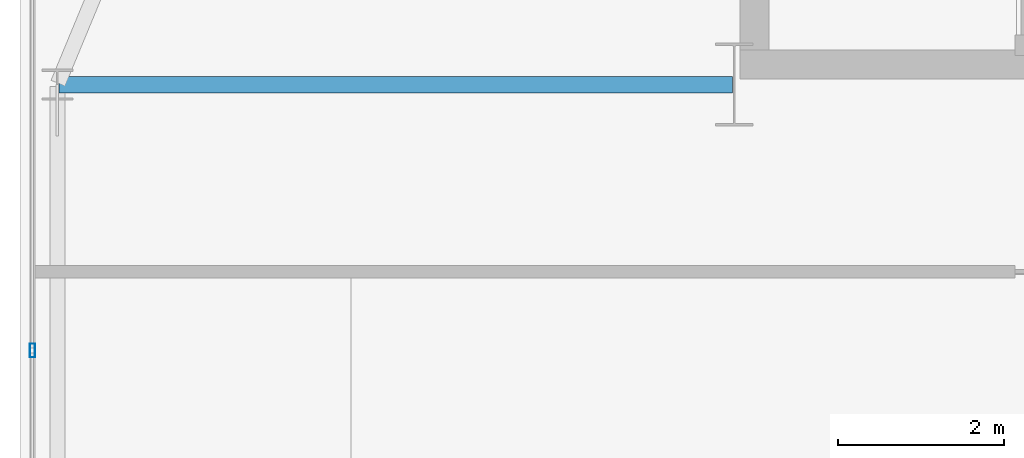
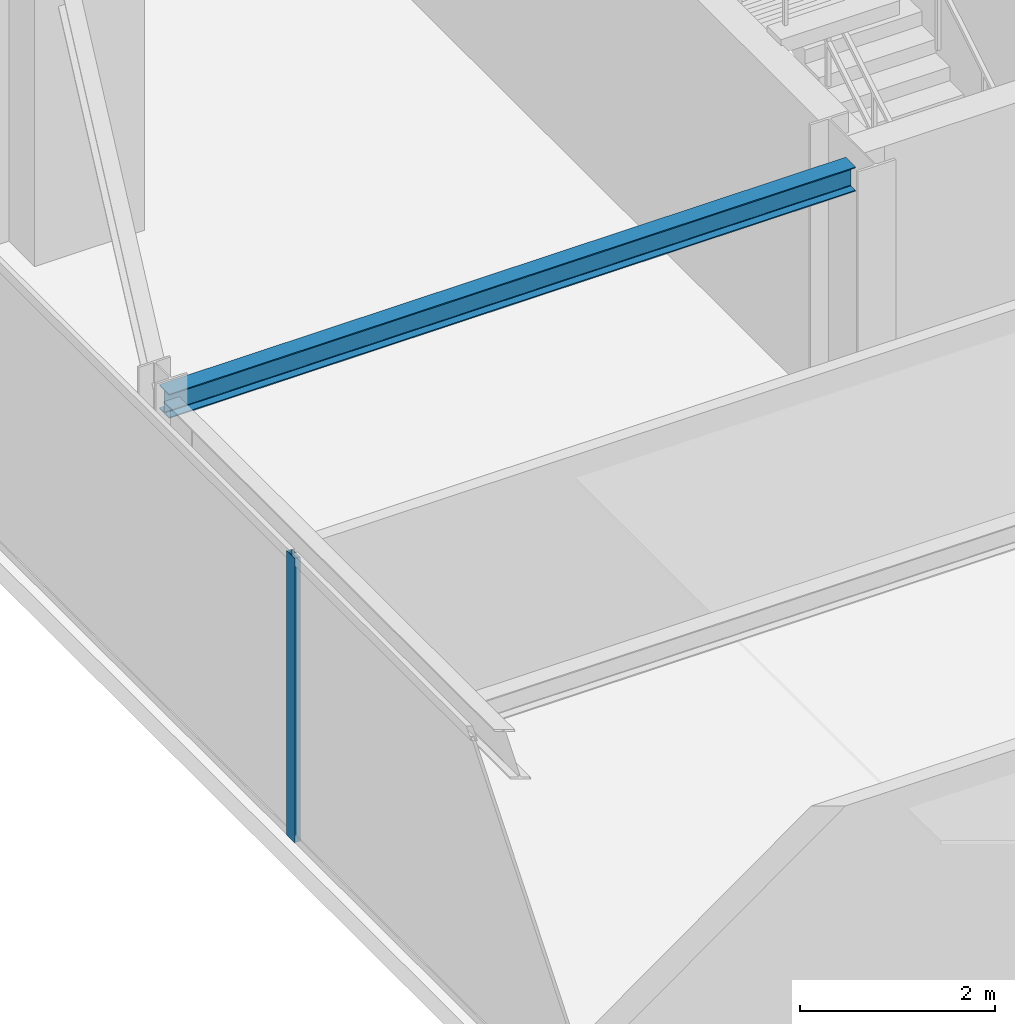
# One storey, part 12 of 31: 1 beam, 1 member, 1 element without a shape of its own.
"""IFC4 building model written with IfcOpenShell, lengths in metres."""

from ifc_helpers import new_model, si_unit, direction, frame, origin, origin_2d, place, context, subcontext, project, spatial, hollow_rectangle, i_section, extrude, source, transform, mapped, material, layer, layer_set, material_profile, profile_set, type_object, type_shapes, element, aggregate, save


model = new_model("IFC4")

# Units and contexts
model_context = context("Model", 3, precision=1e-05, world=origin(), true_north=direction((0.0, 1.0)))
body_context = subcontext(model_context, "Body", "Model", "MODEL_VIEW")
ifc_project = project(units=[si_unit("LENGTHUNIT", "METRE"), si_unit("AREAUNIT", "SQUARE_METRE"), si_unit("VOLUMEUNIT", "CUBIC_METRE"), si_unit("PLANEANGLEUNIT", "RADIAN"), si_unit("MASSUNIT", "GRAM", prefix="KILO")], contexts=[model_context])

# Site, building, storey
site_placement = place(None, origin())
site = spatial("IfcSite", under=ifc_project, at=site_placement, CompositionType="ELEMENT")
building_placement = place(site_placement, origin())
building = spatial("IfcBuilding", under=site, at=building_placement, Name="Varnel Quay Broadcast Tower", CompositionType="ELEMENT")
storey_placement = place(building_placement, frame((0.0, 0.0, 157.199951171875)))
storey = spatial("IfcBuildingStorey", under=building, at=storey_placement, Name="L38", CompositionType="ELEMENT", Elevation=157.199951171875)

# Beam
ifc_material_1 = material(Name="Structural Steel CSA G40.21 350W", Category="steel")
ifc_material_profile_1 = material_profile(ifc_material_1, i_section(OverallWidth=0.202880859375, OverallDepth=0.302978515625, WebThickness=0.007568359375, FlangeThickness=0.01318359375, FilletRadius=0.011962890625, at=origin_2d()), Name="W310X60")
ifc_profile_set_1 = profile_set([ifc_material_profile_1], Name="Structural Steel CSA G40.21 350W")
beam_type = type_object("IfcBeamType", Name="Beam_W310X60", PredefinedType="JOIST", material=ifc_profile_set_1)
shared_shape_1 = source(origin(), body_context, "Body", "SweptSolid", [
    extrude(i_section(OverallWidth=0.202880859375, OverallDepth=0.302978515625, WebThickness=0.007568359375, FlangeThickness=0.01318359375, FilletRadius=0.011962890625, at=origin_2d()), origin(), (0.0, 0.0, 1.0), 8.110107421875),
])
type_shapes(beam_type, [shared_shape_1])
beam_placement = place(storey_placement, frame((7.469970703125, 35.60009765625, 3.3984375), z_axis=(1.0, 0.0, 0.0), x_axis=(0.0, 1.0, 0.0)))
element("IfcBeam", 1, at=beam_placement, inside=storey, type_object=beam_type, Name="L38 West Core Tie Joist", PredefinedType="JOIST", context=body_context, shape_type="MappedRepresentation", body=[
    mapped(shared_shape_1, transform((0.0, 0.0, 0.0), x_axis=(1.0, 0.0, 0.0), y_axis=(0.0, 1.0, 0.0), z_axis=(0.0, 0.0, 1.0), scale=1.0)),
])

# Curtain wall, member
ifc_material_2 = material(Name="Anodised Bronze Aluminium 6063-T6", Category="aluminium")
ifc_layer = layer(ifc_material_2, 0.18994140625, Name="Anodised Bronze Aluminium 6063-T6")
ifc_layer_set = layer_set([ifc_layer], Name="Anodised Bronze Aluminium 6063-T6")
curtain_wall_type = type_object("IfcCurtainWallType", Name="CW_UpperTower", PredefinedType="NOTDEFINED", material=ifc_layer_set)
curtain_wall_placement = place(storey_placement, origin())
curtain_wall = element("IfcCurtainWall", 2, at=curtain_wall_placement, inside=storey, type_object=curtain_wall_type, Name="L38 West Unitised Curtain Wall", PredefinedType="NOTDEFINED")
ifc_material_profile_2 = material_profile(ifc_material_2, hollow_rectangle(XDim=0.06494140625, YDim=0.1650390625, WallThickness=0.00341796875, at=origin_2d()), Name="ALU65X165X3.5")
ifc_profile_set_2 = profile_set([ifc_material_profile_2], Name="Anodised Bronze Aluminium 6063-T6")
member_type = type_object("IfcMemberType", Name="Mull_CWS-03", PredefinedType="MULLION", material=ifc_profile_set_2)
shared_shape_2 = source(origin(), body_context, "Body", "SweptSolid", [
    extrude(hollow_rectangle(XDim=0.06494140625, YDim=0.1650390625, WallThickness=0.00341796875, at=origin_2d()), origin(), (0.0, 0.0, 1.0), 3.550048828125),
])
type_shapes(member_type, [shared_shape_2])
member_placement = place(storey_placement, frame((7.14990234375, 32.39990234375, 0.0), z_axis=(0.0, 0.0, 1.0), x_axis=(-1.0, 0.0, 0.0)))
member = element("IfcMember", 3, at=member_placement, type_object=member_type, Name="CWS-03 mullion 3", PredefinedType="MULLION", context=body_context, shape_type="MappedRepresentation", body=[
    mapped(shared_shape_2, transform((0.0, 0.0, 0.0), x_axis=(1.0, 0.0, 0.0), y_axis=(0.0, 1.0, 0.0), z_axis=(0.0, 0.0, 1.0), scale=1.0)),
])
aggregate(curtain_wall, [member])

save(model, "model.ifc")
